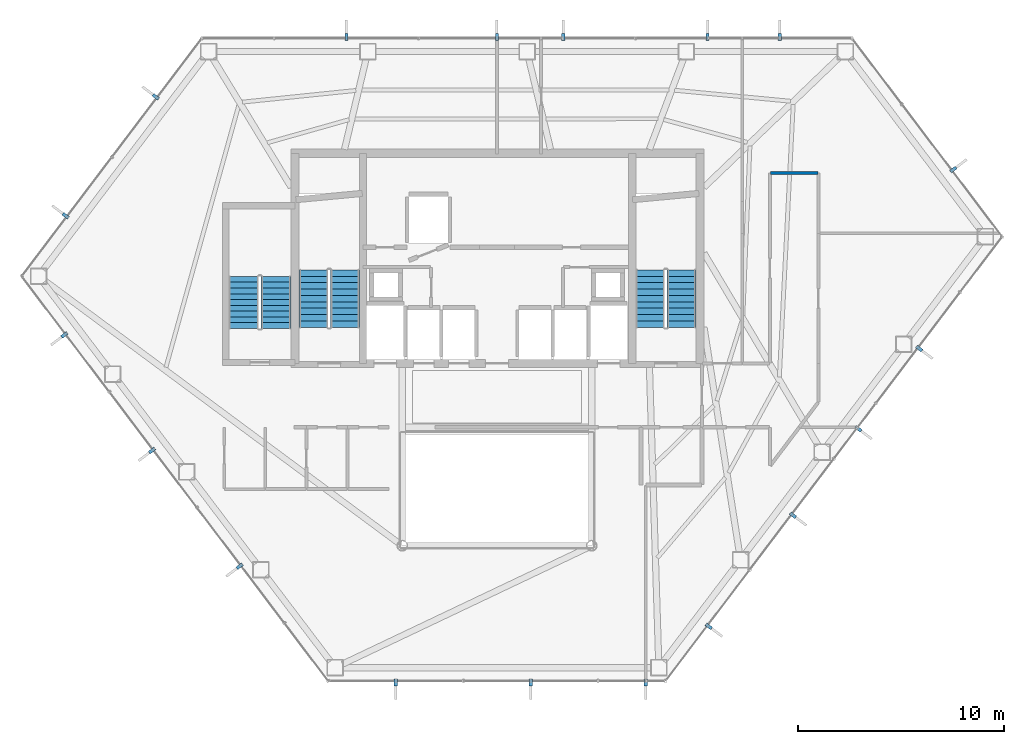
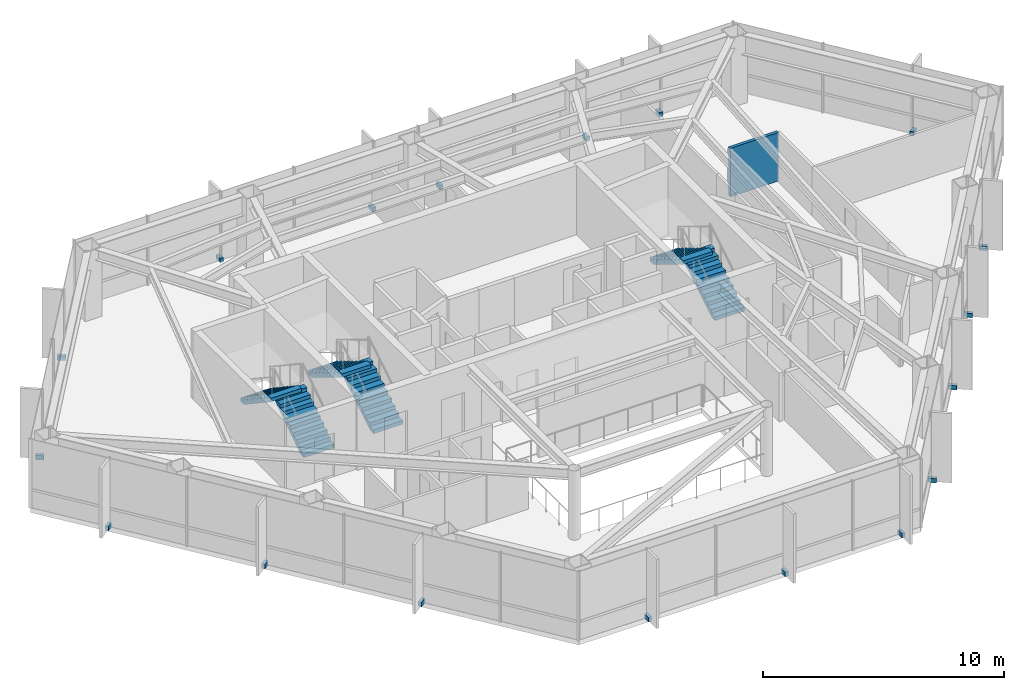
# One storey, part 27 of 28: 18 discrete accessories, 6 stair flights, 1 wall, 3 elements without a shape of their own.
"""IFC4 building model written with IfcOpenShell, lengths in metres."""

from ifc_helpers import new_model, si_unit, direction, frame, frame_2d, origin, origin_2d, place, context, subcontext, project, spatial, polyline, rectangle, outline, extrude, material, layer, layer_set, type_object, element, aggregate, save


model = new_model("IFC4")

# Units and contexts
model_context = context("Model", 3, precision=1e-05, world=origin(), true_north=direction((0.0, 1.0)))
body_context = subcontext(model_context, "Body", "Model", "MODEL_VIEW")
ifc_project = project(units=[si_unit("LENGTHUNIT", "METRE"), si_unit("AREAUNIT", "SQUARE_METRE"), si_unit("VOLUMEUNIT", "CUBIC_METRE"), si_unit("PLANEANGLEUNIT", "RADIAN"), si_unit("MASSUNIT", "GRAM", prefix="KILO")], contexts=[model_context])

# Site, building, storey
site_placement = place(None, origin())
site = spatial("IfcSite", under=ifc_project, at=site_placement, CompositionType="ELEMENT")
building_placement = place(site_placement, origin())
building = spatial("IfcBuilding", under=site, at=building_placement, Name="Zarrinselat Tower", CompositionType="ELEMENT")
storey_placement = place(building_placement, frame((0.0, 0.0, 149.60009765625)))
storey = spatial("IfcBuildingStorey", under=building, at=storey_placement, Name="L36", CompositionType="ELEMENT", Elevation=149.60009765625)

# Wall
ifc_material_1 = material(Name="Fire-Rated Gypsum Board Partition", Category="gypsum")
ifc_layer = layer(ifc_material_1, 0.14990234375)
ifc_layer_set = layer_set([ifc_layer], Name="Fire-Rated Gypsum Board Partition")
wall_type = type_object("IfcWallType", Name="WAL-PART-EI60", PredefinedType="PARTITIONING", material=ifc_layer_set)
wall_placement = place(storey_placement, frame((51.669921875, 42.5, 0.0), z_axis=(0.0, 0.0, 1.0), x_axis=(1.0, 0.0, 0.0)))
element("IfcWall", 1, at=wall_placement, inside=storey, type_object=wall_type, Name="L36 Partition Wall 26", PredefinedType="PARTITIONING", context=body_context, shape_type="SweptSolid", body=[
    extrude(rectangle(XDim=2.31005859375, YDim=0.14990234375, at=frame_2d((1.155029296875, 0.0))), origin(), (0.0, 0.0, 1.0), 2.456787109375),
])

# Stair, stair flights
ifc_material_2 = material(Name="Concrete C40/50", Category="concrete")
stair_type_1 = type_object("IfcStairType", Name="STR-CORE-145", PredefinedType="HALF_TURN_STAIR", material=ifc_material_2)
stair_1_placement = place(storey_placement, origin())
stair_1 = element("IfcStair", 2, at=stair_1_placement, inside=storey, type_object=stair_type_1, Name="L36 Podium & Mid-Tower Exit Stair 3", PredefinedType="HALF_TURN_STAIR")
ifc_material_3 = material(Name="Concrete C40/50", Category="concrete")
stair_flight_type_1 = type_object("IfcStairFlightType", Name="STR-FLT-145", PredefinedType="STRAIGHT", material=ifc_material_3)
stair_flight_1_placement = place(storey_placement, frame((27.675048828125, 34.949951171875, 0.0), z_axis=(0.0, 0.0, 1.0), x_axis=(0.0, 1.0, 0.0)))
stair_flight_1 = element("IfcStairFlight", 3, at=stair_flight_1_placement, type_object=stair_flight_type_1, Name="ST-3 flight 1", NumberOfRisers=10, NumberOfTreads=9, PredefinedType="STRAIGHT", RiserHeight=0.187, TreadLength=0.28, context=body_context, shape_type="SweptSolid", body=[
    extrude(outline(polyline([(0.0, 0.0), (0.0, 0.18701171875), (0.280029296875, 0.18701171875), (0.280029296875, 0.3740234375), (0.56005859375, 0.3740234375), (0.56005859375, 0.56103515625), (0.840087890625, 0.56103515625), (0.840087890625, 0.748046875), (1.1201171875, 0.748046875), (1.1201171875, 0.93505859375), (1.39990234375, 0.93505859375), (1.39990234375, 1.1220703125), (1.679931640625, 1.1220703125), (1.679931640625, 1.30908203125), (1.9599609375, 1.30908203125), (1.9599609375, 1.49609375), (2.239990234375, 1.49609375), (2.239990234375, 1.68310546875), (2.52001953125, 1.68310546875), (2.52001953125, 1.8701171875), (2.52001953125, 1.502685546875), (0.27001953125, 0.0), (0.0, 0.0)])), frame((0.0, 0.72509765625, 0.0), z_axis=(0.0, -1.0, 0.0), x_axis=(1.0, 0.0, 0.0)), (0.0, 0.0, 1.0), 1.449951171875),
])
stair_flight_2_placement = place(storey_placement, frame((26.10498046875, 37.469970703125, 1.869873046875), z_axis=(0.0, 0.0, 1.0), x_axis=(0.0, -1.0, 0.0)))
stair_flight_2 = element("IfcStairFlight", 4, at=stair_flight_2_placement, type_object=stair_flight_type_1, Name="ST-3 flight 2", NumberOfRisers=10, NumberOfTreads=9, PredefinedType="STRAIGHT", RiserHeight=0.187, TreadLength=0.28, context=body_context, shape_type="SweptSolid", body=[
    extrude(outline(polyline([(0.0, 0.0), (0.0, 0.18701171875), (0.280029296875, 0.18701171875), (0.280029296875, 0.3740234375), (0.56005859375, 0.3740234375), (0.56005859375, 0.56103515625), (0.840087890625, 0.56103515625), (0.840087890625, 0.748046875), (1.1201171875, 0.748046875), (1.1201171875, 0.93505859375), (1.39990234375, 0.93505859375), (1.39990234375, 1.1220703125), (1.679931640625, 1.1220703125), (1.679931640625, 1.30908203125), (1.9599609375, 1.30908203125), (1.9599609375, 1.49609375), (2.239990234375, 1.49609375), (2.239990234375, 1.68310546875), (2.52001953125, 1.68310546875), (2.52001953125, 1.8701171875), (2.52001953125, 1.502685546875), (0.27001953125, 0.0), (0.0, 0.0)])), frame((0.0, 0.72509765625, 0.0), z_axis=(0.0, -1.0, 0.0), x_axis=(1.0, 0.0, 0.0)), (0.0, 0.0, 1.0), 1.449951171875),
])
aggregate(stair_1, [stair_flight_1, stair_flight_2])

ifc_material_4 = material(Name="Concrete C40/50", Category="concrete")
stair_type_2 = type_object("IfcStairType", Name="STR-CORE-155", PredefinedType="HALF_TURN_STAIR", material=ifc_material_4)
stair_2_placement = place(storey_placement, origin())
stair_2 = element("IfcStair", 5, at=stair_2_placement, inside=storey, type_object=stair_type_2, Name="L36 Core Exit Stair 1", PredefinedType="HALF_TURN_STAIR")
ifc_material_5 = material(Name="Concrete C40/50", Category="concrete")
stair_flight_type_2 = type_object("IfcStairFlightType", Name="STR-FLT-155", PredefinedType="STRAIGHT", material=ifc_material_5)
stair_flight_3_placement = place(storey_placement, frame((31.02001953125, 35.0, 0.0), z_axis=(0.0, 0.0, 1.0), x_axis=(0.0, 1.0, 0.0)))
stair_flight_3 = element("IfcStairFlight", 6, at=stair_flight_3_placement, type_object=stair_flight_type_2, Name="ST-1 flight 1", NumberOfRisers=10, NumberOfTreads=9, PredefinedType="STRAIGHT", RiserHeight=0.187, TreadLength=0.31, context=body_context, shape_type="SweptSolid", body=[
    extrude(outline(polyline([(0.0, 0.0), (0.0, 0.18701171875), (0.31005859375, 0.18701171875), (0.31005859375, 0.3740234375), (0.6201171875, 0.3740234375), (0.6201171875, 0.56103515625), (0.929931640625, 0.56103515625), (0.929931640625, 0.748046875), (1.239990234375, 0.748046875), (1.239990234375, 0.93505859375), (1.550048828125, 0.93505859375), (1.550048828125, 1.1220703125), (1.860107421875, 1.1220703125), (1.860107421875, 1.30908203125), (2.169921875, 1.30908203125), (2.169921875, 1.49609375), (2.47998046875, 1.49609375), (2.47998046875, 1.68310546875), (2.7900390625, 1.68310546875), (2.7900390625, 1.8701171875), (2.7900390625, 1.508056640625), (0.290283203125, 0.0), (0.0, 0.0)])), frame((0.0, 0.699951171875, 0.0), z_axis=(0.0, -1.0, 0.0), x_axis=(1.0, 0.0, 0.0)), (0.0, 0.0, 1.0), 1.39990234375),
])
stair_flight_4_placement = place(storey_placement, frame((29.5, 37.7900390625, 1.869873046875), z_axis=(0.0, 0.0, 1.0), x_axis=(0.0, -1.0, 0.0)))
stair_flight_4 = element("IfcStairFlight", 7, at=stair_flight_4_placement, type_object=stair_flight_type_2, Name="ST-1 flight 2", NumberOfRisers=10, NumberOfTreads=9, PredefinedType="STRAIGHT", RiserHeight=0.187, TreadLength=0.31, context=body_context, shape_type="SweptSolid", body=[
    extrude(outline(polyline([(0.0, 0.0), (0.0, 0.18701171875), (0.31005859375, 0.18701171875), (0.31005859375, 0.3740234375), (0.6201171875, 0.3740234375), (0.6201171875, 0.56103515625), (0.929931640625, 0.56103515625), (0.929931640625, 0.748046875), (1.239990234375, 0.748046875), (1.239990234375, 0.93505859375), (1.550048828125, 0.93505859375), (1.550048828125, 1.1220703125), (1.860107421875, 1.1220703125), (1.860107421875, 1.30908203125), (2.169921875, 1.30908203125), (2.169921875, 1.49609375), (2.47998046875, 1.49609375), (2.47998046875, 1.68310546875), (2.7900390625, 1.68310546875), (2.7900390625, 1.8701171875), (2.7900390625, 1.508056640625), (0.290283203125, 0.0), (0.0, 0.0)])), frame((0.0, 0.699951171875, 0.0), z_axis=(0.0, -1.0, 0.0), x_axis=(1.0, 0.0, 0.0)), (0.0, 0.0, 1.0), 1.39990234375),
])
aggregate(stair_2, [stair_flight_3, stair_flight_4])

stair_3_placement = place(storey_placement, origin())
stair_3 = element("IfcStair", 8, at=stair_3_placement, inside=storey, type_object=stair_type_2, Name="L36 Core Exit Stair 2", PredefinedType="HALF_TURN_STAIR")
stair_flight_5_placement = place(storey_placement, frame((47.360107421875, 35.0, 0.0), z_axis=(0.0, 0.0, 1.0), x_axis=(0.0, 1.0, 0.0)))
stair_flight_5 = element("IfcStairFlight", 9, at=stair_flight_5_placement, type_object=stair_flight_type_2, Name="ST-2 flight 1", NumberOfRisers=10, NumberOfTreads=9, PredefinedType="STRAIGHT", RiserHeight=0.187, TreadLength=0.31, context=body_context, shape_type="SweptSolid", body=[
    extrude(outline(polyline([(0.0, 0.0), (0.0, 0.18701171875), (0.31005859375, 0.18701171875), (0.31005859375, 0.3740234375), (0.6201171875, 0.3740234375), (0.6201171875, 0.56103515625), (0.929931640625, 0.56103515625), (0.929931640625, 0.748046875), (1.239990234375, 0.748046875), (1.239990234375, 0.93505859375), (1.550048828125, 0.93505859375), (1.550048828125, 1.1220703125), (1.860107421875, 1.1220703125), (1.860107421875, 1.30908203125), (2.169921875, 1.30908203125), (2.169921875, 1.49609375), (2.47998046875, 1.49609375), (2.47998046875, 1.68310546875), (2.7900390625, 1.68310546875), (2.7900390625, 1.8701171875), (2.7900390625, 1.508056640625), (0.290283203125, 0.0), (0.0, 0.0)])), frame((0.0, 0.699951171875, 0.0), z_axis=(0.0, -1.0, 0.0), x_axis=(1.0, 0.0, 0.0)), (0.0, 0.0, 1.0), 1.39990234375),
])
stair_flight_6_placement = place(storey_placement, frame((45.840087890625, 37.7900390625, 1.869873046875), z_axis=(0.0, 0.0, 1.0), x_axis=(0.0, -1.0, 0.0)))
stair_flight_6 = element("IfcStairFlight", 10, at=stair_flight_6_placement, type_object=stair_flight_type_2, Name="ST-2 flight 2", NumberOfRisers=10, NumberOfTreads=9, PredefinedType="STRAIGHT", RiserHeight=0.187, TreadLength=0.31, context=body_context, shape_type="SweptSolid", body=[
    extrude(outline(polyline([(0.0, 0.0), (0.0, 0.18701171875), (0.31005859375, 0.18701171875), (0.31005859375, 0.3740234375), (0.6201171875, 0.3740234375), (0.6201171875, 0.56103515625), (0.929931640625, 0.56103515625), (0.929931640625, 0.748046875), (1.239990234375, 0.748046875), (1.239990234375, 0.93505859375), (1.550048828125, 0.93505859375), (1.550048828125, 1.1220703125), (1.860107421875, 1.1220703125), (1.860107421875, 1.30908203125), (2.169921875, 1.30908203125), (2.169921875, 1.49609375), (2.47998046875, 1.49609375), (2.47998046875, 1.68310546875), (2.7900390625, 1.68310546875), (2.7900390625, 1.8701171875), (2.7900390625, 1.508056640625), (0.290283203125, 0.0), (0.0, 0.0)])), frame((0.0, 0.699951171875, 0.0), z_axis=(0.0, -1.0, 0.0), x_axis=(1.0, 0.0, 0.0)), (0.0, 0.0, 1.0), 1.39990234375),
])
aggregate(stair_3, [stair_flight_5, stair_flight_6])

# Discrete accessories
ifc_material_6 = material(Name="Steel S355J2", Category="steel")
discrete_accessory_type = type_object("IfcDiscreteAccessoryType", Name="ACC-FIN-BRACKET", PredefinedType="BRACKET", material=ifc_material_6)
for number, where, z_axis, x_axis, name in (
    (11, (52.126953125, 49.103271484375, -0.05029296875), (0.0, 0.0, 1.0), (0.0, 1.0, 0.0), "L36 Fin Fixing Bracket CW-L36-E01-01"),
    (12, (48.621337890625, 49.103271484375, -0.05029296875), (0.0, 0.0, 1.0), (0.0, 1.0, 0.0), "L36 Fin Fixing Bracket CW-L36-E01-03"),
    (13, (41.610107421875, 49.103271484375, -0.05029296875), (0.0, 0.0, 1.0), (0.0, 1.0, 0.0), "L36 Fin Fixing Bracket CW-L36-E01-05"),
    (14, (38.39990234375, 49.103271484375, -0.05029296875), (0.0, 0.0, 1.0), (0.0, 1.0, 0.0), "L36 Fin Fixing Bracket CW-L36-E01-07"),
    (15, (31.093017578125, 49.103271484375, -0.05029296875), (0.0, 0.0, 1.0), (0.0, 1.0, 0.0), "L36 Fin Fixing Bracket CW-L36-E01-09"),
    (16, (21.83837890625, 46.18798828125, -0.05029296875), (0.0, 0.0, 1.0), (-0.797092148154, 0.603857687995, 0.0), "L36 Fin Fixing Bracket CW-L36-E02-01"),
    (17, (17.46337890625, 40.4130859375, -0.05029296875), (0.0, 0.0, 1.0), (-0.797092148154, 0.603857687995, 0.0), "L36 Fin Fixing Bracket CW-L36-E02-03"),
    (18, (17.40283203125, 34.633544921875, -0.05029296875), (0.0, 0.0, 1.0), (-0.7970926806, -0.603856985167, 0.0), "L36 Fin Fixing Bracket CW-L36-E03-01"),
    (19, (21.656494140625, 29.018798828125, -0.05029296875), (0.0, 0.0, 1.0), (-0.7970926806, -0.603856985167, 0.0), "L36 Fin Fixing Bracket CW-L36-E03-03"),
    (20, (25.91015625, 23.404052734375, -0.05029296875), (0.0, 0.0, 1.0), (-0.7970926806, -0.603856985167, 0.0), "L36 Fin Fixing Bracket CW-L36-E03-05"),
    (21, (33.49169921875, 17.761474609375, -0.05029296875), (0.0, 0.0, 1.0), (0.0, -1.0, 0.0), "L36 Fin Fixing Bracket CW-L36-E04-01"),
    (22, (40.0361328125, 17.761474609375, -0.05029296875), (0.0, 0.0, 1.0), (0.0, -1.0, 0.0), "L36 Fin Fixing Bracket CW-L36-E04-03"),
    (23, (45.61865234375, 17.761474609375, -0.05029296875), (0.0, 0.0, 1.0), (0.0, -1.0, 0.0), "L36 Fin Fixing Bracket CW-L36-E04-05"),
    (24, (48.679443359375, 20.486083984375, -0.05029296875), (0.0, 0.0, 1.0), (0.797092148154, -0.603857687995, 0.0), "L36 Fin Fixing Bracket CW-L36-E05-01"),
    (25, (52.765625, 25.8798828125, -0.05029296875), (0.0, 0.0, 1.0), (0.797092148154, -0.603857687995, 0.0), "L36 Fin Fixing Bracket CW-L36-E05-03"),
    (26, (55.94091796875, 30.071533203125, -0.05029296875), (0.0, 0.0, 1.0), (0.797092148154, -0.603857687995, 0.0), "L36 Fin Fixing Bracket CW-L36-E05-05"),
    (27, (58.89501953125, 33.970703125, -0.05029296875), (0.0, 0.0, 1.0), (0.797092148154, -0.603857687995, 0.0), "L36 Fin Fixing Bracket CW-L36-E05-07"),
    (28, (60.55029296875, 42.657958984375, -0.05029296875), (0.0, 0.0, 1.0), (0.797089249573, 0.603861514104, 0.0), "L36 Fin Fixing Bracket CW-L36-E06-01"),
):
    element("IfcDiscreteAccessory", number, at=place(storey_placement, frame(where, z_axis=z_axis, x_axis=x_axis)), inside=storey, type_object=discrete_accessory_type, Name=name, PredefinedType="BRACKET", context=body_context, shape_type="SweptSolid", body=[
        extrude(rectangle(XDim=0.340087890625, YDim=0.159912109375, at=origin_2d()), origin(), (0.0, 0.0, 1.0), 0.219970703125),
    ])

save(model, "model.ifc")
